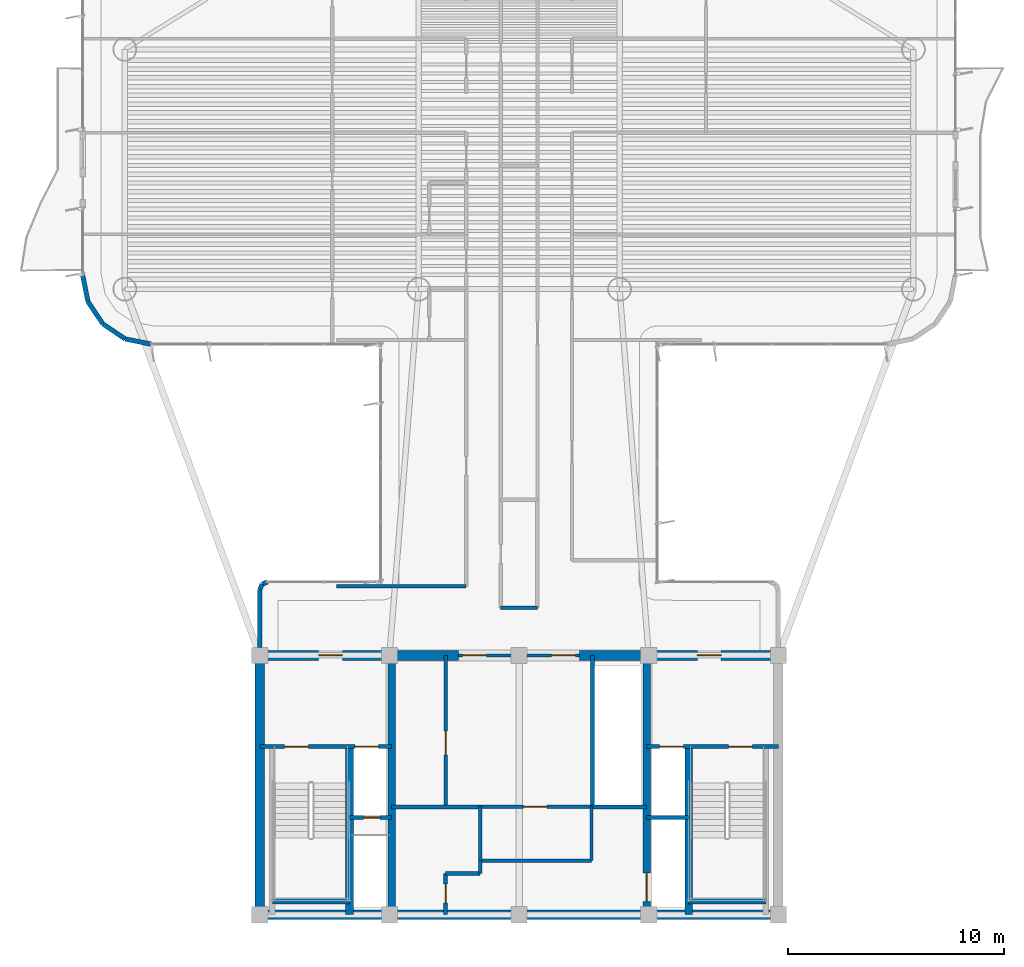
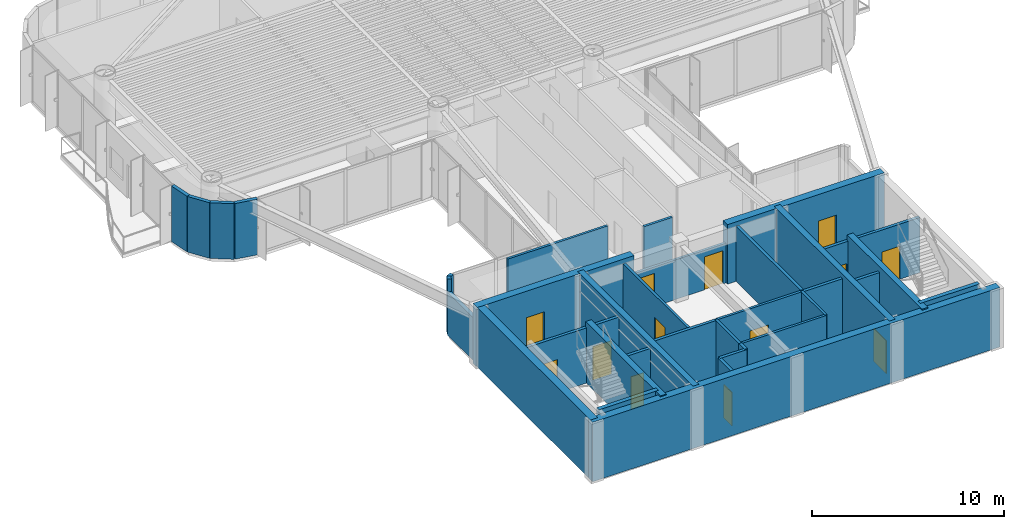
# One storey, part 9 of 14: 35 walls, 13 doors, 13 openings.
"""IFC4 building model written with IfcOpenShell, lengths in metres."""

import ifcopenshell
import ifcopenshell.guid

model = None  # the IFC model being written
_history = None  # IfcOwnerHistory: only IFC2X3 demands one
_inside = {}  # id of a spatial element -> (the spatial element, [elements in it])
_under = {}  # id of a project, library or spatial element -> (it, [spatial elements below it])
_declared = {}  # id of a project -> (the project, [libraries it declares])
_typed = {}  # id of a type object -> (the type object, [elements of that type])
_made_of = {}  # id of a material, layer set ... -> (it, [elements and type objects made of it])


def new_model(schema):
    """Start an empty IFC model of exactly this schema.

    Asked for "IFC4X3", IfcOpenShell would pick the latest addendum, in which some entities
    have other attributes; the version numbers below select the first issue.
    IFC2X3 requires an IfcOwnerHistory on every rooted entity: one is made here for all.
    """
    global model, _history
    if schema == "IFC4X3":
        model = ifcopenshell.file(schema_version=(4, 3, 0, 0))
    else:
        model = ifcopenshell.file(schema=schema)
    _inside.clear()
    _under.clear()
    _declared.clear()
    _typed.clear()
    _made_of.clear()
    _history = None
    if model.schema == "IFC2X3":
        org = make("IfcOrganization", Name="unknown")
        user = make(
            "IfcPersonAndOrganization",
            ThePerson=make("IfcPerson", FamilyName="unknown"),
            TheOrganization=org,
        )
        app = make(
            "IfcApplication",
            ApplicationDeveloper=org,
            Version="unknown",
            ApplicationFullName="unknown",
            ApplicationIdentifier="unknown",
        )
        _history = make(
            "IfcOwnerHistory",
            OwningUser=user,
            OwningApplication=app,
            ChangeAction="ADDED",
            CreationDate=0,
        )
    return model


def make(cls, **values):
    """One entity of the class cls with the attributes given. An attribute that is None is left unset."""
    return model.create_entity(
        cls, **{name: value for name, value in values.items() if value is not None}
    )


def rooted(cls, **values):
    """An entity with a GlobalId (a new one), such as an element, a storey or a relation."""
    return make(cls, GlobalId=ifcopenshell.guid.new(), OwnerHistory=_history, **values)


def si_unit(unit_type, name, prefix=None):
    """IfcSIUnit, for example si_unit("LENGTHUNIT", "METRE", prefix="MILLI")."""
    return make("IfcSIUnit", UnitType=unit_type, Prefix=prefix, Name=name)


def assignment(units):
    """IfcUnitAssignment: the units of a project."""
    return None if units is None else make("IfcUnitAssignment", Units=units)


def point(xyz):
    """IfcCartesianPoint."""
    return None if xyz is None else make("IfcCartesianPoint", Coordinates=xyz)


def direction(xyz):
    """IfcDirection."""
    return None if xyz is None else make("IfcDirection", DirectionRatios=xyz)


def frame(location, z_axis=None, x_axis=None):
    """IfcAxis2Placement3D, a coordinate frame: its origin and axes. An axis left out is left unset."""
    return make(
        "IfcAxis2Placement3D",
        Location=point(location),
        Axis=direction(z_axis),
        RefDirection=direction(x_axis),
    )


def frame_2d(location, x_axis=None):
    """IfcAxis2Placement2D, a coordinate frame in the plane: its origin and x axis."""
    return make(
        "IfcAxis2Placement2D", Location=point(location), RefDirection=direction(x_axis)
    )


def origin():
    """The frame at (0, 0, 0) with its axes left unset."""
    return frame((0.0, 0.0, 0.0))


def origin_2d():
    """The frame at (0, 0) in the plane with its x axis left unset."""
    return frame_2d((0.0, 0.0))


def place(relative_to, where):
    """IfcLocalPlacement: puts the frame where relative to a parent placement (None: the world)."""
    return make(
        "IfcLocalPlacement", PlacementRelTo=relative_to, RelativePlacement=where
    )


def context(
    kind, dimensions, precision=None, world=None, true_north=None, identifier=None
):
    """IfcGeometricRepresentationContext, for example the 3D "Model" context."""
    return make(
        "IfcGeometricRepresentationContext",
        ContextIdentifier=identifier,
        ContextType=kind,
        CoordinateSpaceDimension=dimensions,
        Precision=precision,
        WorldCoordinateSystem=world,
        TrueNorth=true_north,
    )


def subcontext(parent, identifier, kind, view, scale=None):
    """IfcGeometricRepresentationSubContext, for example "Body" below "Model"."""
    return make(
        "IfcGeometricRepresentationSubContext",
        ContextIdentifier=identifier,
        ContextType=kind,
        ParentContext=parent,
        TargetScale=scale,
        TargetView=view,
    )


def project(units=None, contexts=None):
    """IfcProject with its units and contexts."""
    return rooted(
        "IfcProject",
        Name="project",
        RepresentationContexts=contexts,
        UnitsInContext=assignment(units),
    )


def spatial(cls, under=None, at=None, **own):
    """A site, building, storey or space (cls), placed at a placement, below another one or the project."""
    s = rooted(cls, ObjectPlacement=at, **own)
    if under is not None:
        _under.setdefault(under.id(), (under, []))[1].append(s)
    return s


def profile(cls, at=None, kind="AREA", **sizes):
    """A parametric profile (cls). Its sizes go by their IFC names, for example OverallWidth=200.0."""
    return make(cls, ProfileType=kind, Position=at, **sizes)


def rectangle(**sizes):
    """IfcRectangleProfileDef."""
    return profile("IfcRectangleProfileDef", **sizes)


def extrude(swept, where, along, depth):
    """IfcExtrudedAreaSolid: the profile swept, set in the frame where, extruded along a direction by depth."""
    return make(
        "IfcExtrudedAreaSolid",
        SweptArea=swept,
        Position=where,
        ExtrudedDirection=direction(along),
        Depth=depth,
    )


def shape(context_of_items, identifier, shape_type, items):
    """IfcShapeRepresentation: the items that make up one representation, for example the "Body"."""
    return make(
        "IfcShapeRepresentation",
        ContextOfItems=context_of_items,
        RepresentationIdentifier=identifier,
        RepresentationType=shape_type,
        Items=items,
    )


def source(mapping_origin, context_of_items, identifier, shape_type, items):
    """IfcRepresentationMap: a shape defined once, which mapped items show again and again."""
    return make(
        "IfcRepresentationMap",
        MappingOrigin=mapping_origin,
        MappedRepresentation=shape(context_of_items, identifier, shape_type, items),
    )


def transform(
    local_origin,
    x_axis=None,
    y_axis=None,
    z_axis=None,
    scale=None,
    scale2=None,
    scale3=None,
    uniform=True,
):
    """IfcCartesianTransformationOperator3D, or its non-uniform kind. x_axis, y_axis, z_axis: its Axis1, 2, 3."""
    if uniform:
        return make(
            "IfcCartesianTransformationOperator3D",
            Axis1=direction(x_axis),
            Axis2=direction(y_axis),
            LocalOrigin=point(local_origin),
            Scale=scale,
            Axis3=direction(z_axis),
        )
    return make(
        "IfcCartesianTransformationOperator3DnonUniform",
        Axis1=direction(x_axis),
        Axis2=direction(y_axis),
        LocalOrigin=point(local_origin),
        Scale=scale,
        Axis3=direction(z_axis),
        Scale2=scale2,
        Scale3=scale3,
    )


def mapped(mapping_source, mapping_target):
    """IfcMappedItem: shows the shape of a source again, moved by a transform."""
    return make(
        "IfcMappedItem", MappingSource=mapping_source, MappingTarget=mapping_target
    )


def material(Name=None, Category=None):
    """IfcMaterial."""
    return make("IfcMaterial", Name=Name, Category=Category)


def layer(
    of_material, thickness, ventilated=None, Name=None, Category=None, Priority=None
):
    """IfcMaterialLayer: one layer of a wall or slab, of a material (None: an air gap)."""
    return make(
        "IfcMaterialLayer",
        Material=of_material,
        LayerThickness=thickness,
        IsVentilated=ventilated,
        Name=Name,
        Category=Category,
        Priority=Priority,
    )


def layer_set(layers, Name=None):
    """IfcMaterialLayerSet."""
    return make("IfcMaterialLayerSet", MaterialLayers=layers, LayerSetName=Name)


def made_of(thing, what):
    """Note that an element or type object is made of a material, layer set ...; save() writes the relation."""
    if what is not None:
        _made_of.setdefault(what.id(), (what, []))[1].append(thing)
    return thing


def type_object(cls, material=None, **own):
    """A type object (cls), such as IfcWallType, which elements share."""
    return made_of(rooted(cls, **own), material)


def element(
    cls,
    number,
    at=None,
    inside=None,
    cuts=None,
    type_object=None,
    material=None,
    context=None,
    identifier="Body",
    shape_type=None,
    held_by="IfcProductDefinitionShape",
    body=None,
    shapes=None,
    **own,
):
    """One element of the class cls, such as IfcWall. Its Tag is "e" and its number.

    at: its placement. inside: the storey or other place that contains it. cuts: it is an
    opening in that element (IfcRelVoidsElement). A single representation is given by context,
    identifier, shape_type and body (its items); several are given by shapes. held_by: the class
    of the entity that holds the representations. save() writes the other relations.
    """
    e = rooted(cls, Tag="e%d" % number, ObjectPlacement=at, **own)
    if body is not None:
        shapes = [shape(context, identifier, shape_type, body)]
    if shapes is not None:
        e.Representation = make(held_by, Representations=shapes)
    if inside is not None:
        _inside.setdefault(inside.id(), (inside, []))[1].append(e)
    if cuts is not None:
        rooted(
            "IfcRelVoidsElement", RelatingBuildingElement=cuts, RelatedOpeningElement=e
        )
    if type_object is not None:
        _typed.setdefault(type_object.id(), (type_object, []))[1].append(e)
    return made_of(e, material)


def fill(opening, filler):
    """IfcRelFillsElement: the door or window that sits in an opening."""
    return rooted(
        "IfcRelFillsElement",
        RelatingOpeningElement=opening,
        RelatedBuildingElement=filler,
    )


def aggregate(whole, parts):
    """IfcRelAggregates: a whole, such as a stair, and the parts it consists of."""
    return rooted("IfcRelAggregates", RelatingObject=whole, RelatedObjects=parts)


def save(model, path):
    """Write the relations noted so far, then the file.

    IfcRelAggregates (storeys below a building ...), IfcRelContainedInSpatialStructure (elements
    in a storey), IfcRelDefinesByType, IfcRelAssociatesMaterial and IfcRelDeclares: one each for
    every whole, place, type object, material and project.
    """
    for whole, parts in _under.values():
        aggregate(whole, parts)
    for where, things in _inside.values():
        rooted(
            "IfcRelContainedInSpatialStructure",
            RelatedElements=things,
            RelatingStructure=where,
        )
    for kind, things in _typed.values():
        rooted("IfcRelDefinesByType", RelatedObjects=things, RelatingType=kind)
    for what, things in _made_of.values():
        rooted("IfcRelAssociatesMaterial", RelatedObjects=things, RelatingMaterial=what)
    for by, libraries in _declared.values():
        rooted("IfcRelDeclares", RelatingContext=by, RelatedDefinitions=libraries)
    model.write(path)


model = new_model("IFC4")

# Units and contexts
model_context = context("Model", 3, precision=1e-05, world=origin(), true_north=direction((0.0, 1.0)))
body_context = subcontext(model_context, "Body", "Model", "MODEL_VIEW")
ifc_project = project(units=[si_unit("LENGTHUNIT", "METRE"), si_unit("AREAUNIT", "SQUARE_METRE"), si_unit("VOLUMEUNIT", "CUBIC_METRE"), si_unit("PLANEANGLEUNIT", "RADIAN"), si_unit("MASSUNIT", "GRAM", prefix="KILO")], contexts=[model_context])

# Site, building, storey
site_placement = place(None, origin())
site = spatial("IfcSite", under=ifc_project, at=site_placement, CompositionType="ELEMENT")
building_placement = place(site_placement, origin())
building = spatial("IfcBuilding", under=site, at=building_placement, Name="Brelvock Crest Care Tower", CompositionType="ELEMENT")
storey_placement = place(building_placement, frame((0.0, 0.0, 198.0)))
storey = spatial("IfcBuildingStorey", under=building, at=storey_placement, Name="L50", CompositionType="ELEMENT", Elevation=198.0)

# Walls
ifc_material_1 = material(Name="Concrete S65 (65 MPa)", Category="concrete")
ifc_layer_1 = layer(ifc_material_1, 0.449951171875, Name="WL-CS3")
ifc_layer_set_1 = layer_set([ifc_layer_1], Name="Concrete S65 (65 MPa)")
wall_type_1 = type_object("IfcWallType", Name="WL-CS3", PredefinedType="SHEAR", material=ifc_layer_set_1)
wall_1_placement = place(storey_placement, frame((48.22509765625, 6.0, 0.0), z_axis=(0.0, 0.0, 1.0), x_axis=(-1.0, 0.0, 0.0)))
element("IfcWall", 1, at=wall_1_placement, inside=storey, type_object=wall_type_1, Name="L50 Core South Shear Wall", PredefinedType="SHEAR", context=body_context, shape_type="SweptSolid", body=[
    extrude(rectangle(XDim=24.4501953125, YDim=0.449951171875, at=frame_2d((12.22509765625, 0.0))), origin(), (0.0, 0.0, 1.0), 3.780029296875),
])
wall_2_placement = place(storey_placement, frame((24.0, 6.0, 0.0), z_axis=(0.0, 0.0, 1.0), x_axis=(0.0, 1.0, 0.0)))
element("IfcWall", 2, at=wall_2_placement, inside=storey, type_object=wall_type_1, Name="L50 Core West Shear Wall", PredefinedType="SHEAR", context=body_context, shape_type="SweptSolid", body=[
    extrude(rectangle(XDim=12.0, YDim=0.449951171875, at=frame_2d((6.0, 0.0))), origin(), (0.0, 0.0, 1.0), 3.780029296875),
])

# Wall, opening, door
wall_3_placement = place(storey_placement, frame((23.77490234375, 18.0, 0.0), z_axis=(0.0, 0.0, 1.0), x_axis=(1.0, 0.0, 0.0)))
wall_3 = element("IfcWall", 3, at=wall_3_placement, inside=storey, type_object=wall_type_1, Name="L50 Core North-West Shear Wall", PredefinedType="SHEAR", context=body_context, shape_type="SweptSolid", body=[
    extrude(rectangle(XDim=9.425048828125, YDim=0.449951171875, at=frame_2d((4.71240234375, 0.0))), origin(), (0.0, 0.0, 1.0), 3.780029296875),
])
opening_1_placement = place(wall_3_placement, frame((2.949951171875, 0.0, 0.0)))
opening_1 = element("IfcOpeningElement", 4, at=opening_1_placement, cuts=wall_3, Name="Opening FD-1", PredefinedType="OPENING", context=body_context, shape_type="SweptSolid", body=[
    extrude(rectangle(XDim=1.10009765625, YDim=2.10009765625, at=origin_2d()), frame((0.550048828125, 0.23486328125, 1.050048828125), z_axis=(0.0, -1.0, 0.0), x_axis=(1.0, 0.0, 0.0)), (0.0, 0.0, 1.0), 0.469970703125),
])
ifc_material_2 = material(Name="Steel Grade 350", Category="steel")
door_type_1 = type_object("IfcDoorType", Name="DR-FFL1", OperationType="NOTDEFINED", PredefinedType="DOOR", material=ifc_material_2)
shared_shape_1 = source(origin(), body_context, "Body", "SweptSolid", [
    extrude(rectangle(XDim=1.10009765625, YDim=2.10009765625, at=origin_2d()), frame((0.550048828125, 0.02490234375, 1.050048828125), z_axis=(0.0, -1.0, 0.0), x_axis=(1.0, 0.0, 0.0)), (0.0, 0.0, 1.0), 0.050048828125),
])
door_1_placement = place(opening_1_placement, origin())
door_1 = element("IfcDoor", 5, at=door_1_placement, inside=storey, type_object=door_type_1, Name="L50 Firefighting Lobby FFL-1 Exit Door", OperationType="SINGLE_SWING_LEFT", OverallHeight=2.10009765625, OverallWidth=1.10009765625, PredefinedType="DOOR", context=body_context, shape_type="MappedRepresentation", body=[
    mapped(shared_shape_1, transform((0.0, 0.0, 0.0), x_axis=(1.0, 0.0, 0.0), y_axis=(0.0, 1.0, 0.0), z_axis=(0.0, 0.0, 1.0), scale=1.0)),
])
fill(opening_1, door_1)

wall_4_placement = place(storey_placement, frame((38.800048828125, 18.0, 0.0), z_axis=(0.0, 0.0, 1.0), x_axis=(1.0, 0.0, 0.0)))
wall_4 = element("IfcWall", 6, at=wall_4_placement, inside=storey, type_object=wall_type_1, Name="L50 Core North-East Shear Wall", PredefinedType="SHEAR", context=body_context, shape_type="SweptSolid", body=[
    extrude(rectangle(XDim=9.425048828125, YDim=0.449951171875, at=frame_2d((4.71240234375, 0.0))), origin(), (0.0, 0.0, 1.0), 3.780029296875),
])
opening_2_placement = place(wall_4_placement, frame((5.449951171875, 0.0, 0.0)))
opening_2 = element("IfcOpeningElement", 7, at=opening_2_placement, cuts=wall_4, Name="Opening FD-1", PredefinedType="OPENING", context=body_context, shape_type="SweptSolid", body=[
    extrude(rectangle(XDim=1.10009765625, YDim=2.10009765625, at=origin_2d()), frame((0.550048828125, 0.23486328125, 1.050048828125), z_axis=(0.0, -1.0, 0.0), x_axis=(1.0, 0.0, 0.0)), (0.0, 0.0, 1.0), 0.469970703125),
])
door_2_placement = place(opening_2_placement, origin())
door_2 = element("IfcDoor", 8, at=door_2_placement, inside=storey, type_object=door_type_1, Name="L50 Firefighting Lobby FFL-2 Exit Door", OperationType="SINGLE_SWING_RIGHT", OverallHeight=2.10009765625, OverallWidth=1.10009765625, PredefinedType="DOOR", context=body_context, shape_type="MappedRepresentation", body=[
    mapped(shared_shape_1, transform((0.0, 0.0, 0.0), x_axis=(1.0, 0.0, 0.0), y_axis=(0.0, 1.0, 0.0), z_axis=(0.0, 0.0, 1.0), scale=1.0)),
])
fill(opening_2, door_2)

# Wall
ifc_material_3 = material(Name="Concrete S80 (80 MPa)", Category="concrete")
ifc_layer_2 = layer(ifc_material_3, 0.35009765625, Name="WL-CS5")
ifc_layer_set_2 = layer_set([ifc_layer_2], Name="Concrete S80 (80 MPa)")
wall_type_2 = type_object("IfcWallType", Name="WL-CS5", PredefinedType="SHEAR", material=ifc_layer_set_2)
wall_5_placement = place(storey_placement, frame((30.10009765625, 6.0, 0.0), z_axis=(0.0, 0.0, 1.0), x_axis=(0.0, 1.0, 0.0)))
element("IfcWall", 9, at=wall_5_placement, inside=storey, type_object=wall_type_2, Name="L50 Core Internal Web Wall West", PredefinedType="SHEAR", context=body_context, shape_type="SweptSolid", body=[
    extrude(rectangle(XDim=12.0, YDim=0.35009765625, at=frame_2d((6.0, 0.0))), origin(), (0.0, 0.0, 1.0), 3.780029296875),
])

# Wall, opening, door
wall_6_placement = place(storey_placement, frame((41.89990234375, 18.0, 0.0), z_axis=(0.0, 0.0, 1.0), x_axis=(0.0, -1.0, 0.0)))
wall_6 = element("IfcWall", 10, at=wall_6_placement, inside=storey, type_object=wall_type_2, Name="L50 Core Internal Web Wall East", PredefinedType="SHEAR", context=body_context, shape_type="SweptSolid", body=[
    extrude(rectangle(XDim=12.0, YDim=0.35009765625, at=frame_2d((6.0, 0.0))), origin(), (0.0, 0.0, 1.0), 3.780029296875),
])
opening_3_placement = place(wall_6_placement, frame((10.080078125, 0.0, 0.0)))
opening_3 = element("IfcOpeningElement", 11, at=opening_3_placement, cuts=wall_6, Name="Opening LD-S", PredefinedType="OPENING", context=body_context, shape_type="SweptSolid", body=[
    extrude(rectangle(XDim=1.300048828125, YDim=2.10009765625, at=origin_2d()), frame((0.64990234375, 0.18505859375, 1.050048828125), z_axis=(0.0, -1.0, 0.0), x_axis=(1.0, 0.0, 0.0)), (0.0, 0.0, 1.0), 0.3701171875),
])
door_type_2 = type_object("IfcDoorType", Name="DR-LDS1", OperationType="NOTDEFINED", PredefinedType="DOOR", material=ifc_material_2)
shared_shape_2 = source(origin(), body_context, "Body", "SweptSolid", [
    extrude(rectangle(XDim=1.300048828125, YDim=2.10009765625, at=origin_2d()), frame((0.64990234375, 0.02490234375, 1.050048828125), z_axis=(0.0, -1.0, 0.0), x_axis=(1.0, 0.0, 0.0)), (0.0, 0.0, 1.0), 0.050048828125),
])
door_3_placement = place(opening_3_placement, origin())
door_3 = element("IfcDoor", 12, at=door_3_placement, inside=storey, type_object=door_type_2, Name="L50 Clinical Bed Lift SL-1 Landing Door", OperationType="SLIDING_TO_LEFT", OverallHeight=2.10009765625, OverallWidth=1.300048828125, PredefinedType="DOOR", context=body_context, shape_type="MappedRepresentation", body=[
    mapped(shared_shape_2, transform((0.0, 0.0, 0.0), x_axis=(1.0, 0.0, 0.0), y_axis=(0.0, 1.0, 0.0), z_axis=(0.0, 0.0, 1.0), scale=1.0)),
])
fill(opening_3, door_3)

# Walls
for number, where, z_axis, x_axis, name in (
    (13, (28.14990234375, 6.0, 0.0), (0.0, 0.0, 1.0), (0.0, 1.0, 0.0), "L50 Core Stair ST-1 East Shear Wall"),
    (14, (43.85009765625, 6.0, 0.0), (0.0, 0.0, 1.0), (0.0, 1.0, 0.0), "L50 Core Stair ST-2 West Shear Wall"),
):
    element("IfcWall", number, at=place(storey_placement, frame(where, z_axis=z_axis, x_axis=x_axis)), inside=storey, type_object=wall_type_2, Name=name, PredefinedType="SHEAR", context=body_context, shape_type="SweptSolid", body=[
        extrude(rectangle(XDim=7.780029296875, YDim=0.35009765625, at=frame_2d((3.89013671875, 0.0))), origin(), (0.0, 0.0, 1.0), 3.85009765625),
    ])
ifc_layer_3 = layer(ifc_material_3, 0.25, Name="WL-CS6")
ifc_layer_set_3 = layer_set([ifc_layer_3], Name="Concrete S80 (80 MPa)")
wall_type_3 = type_object("IfcWallType", Name="WL-CS6", PredefinedType="SHEAR", material=ifc_layer_set_3)
for number, where, z_axis, x_axis, name in (
    (15, (24.580078125, 6.6201171875, 0.0), (0.0, 0.0, 1.0), (1.0, 0.0, 0.0), "L50 Core Stair ST-1 South Shear Wall"),
    (16, (43.85009765625, 6.6201171875, 0.0), (0.0, 0.0, 1.0), (1.0, 0.0, 0.0), "L50 Core Stair ST-2 South Shear Wall"),
):
    element("IfcWall", number, at=place(storey_placement, frame(where, z_axis=z_axis, x_axis=x_axis)), inside=storey, type_object=wall_type_3, Name=name, PredefinedType="SHEAR", context=body_context, shape_type="SweptSolid", body=[
        extrude(rectangle(XDim=3.56982421875, YDim=0.25, at=frame_2d((1.784912109375, 0.0))), origin(), (0.0, 0.0, 1.0), 3.85009765625),
    ])
ifc_material_4 = material(Name="Precast concrete N40 (40 MPa)", Category="concrete")
ifc_layer_4 = layer(ifc_material_4, 0.215087890625, Name="WL-EX2")
ifc_layer_set_4 = layer_set([ifc_layer_4], Name="Precast concrete N40 (40 MPa)")
wall_type_4 = type_object("IfcWallType", Name="WL-EX2", PredefinedType="SOLIDWALL", material=ifc_layer_set_4)
wall_7_placement = place(storey_placement, frame((24.0, 18.35498046875, 0.0), z_axis=(0.0, 0.0, 1.0), x_axis=(0.0, 1.0, 0.0)))
element("IfcWall", 17, at=wall_7_placement, inside=storey, type_object=wall_type_4, Name="L50 Rounded Corner Wall 07", PredefinedType="SOLIDWALL", context=body_context, shape_type="SweptSolid", body=[
    extrude(rectangle(XDim=2.695068359375, YDim=0.215087890625, at=frame_2d((1.34765625, 0.0))), origin(), (0.0, 0.0, 1.0), 2.718017578125),
])
wall_8_placement = place(storey_placement, frame((24.0, 21.050048828125, 0.0), z_axis=(0.0, 0.0, 1.0), x_axis=(0.382673670509, 0.923883575944, 0.0)))
element("IfcWall", 18, at=wall_8_placement, inside=storey, type_object=wall_type_4, Name="L50 Rounded Corner Wall 08", PredefinedType="SOLIDWALL", context=body_context, shape_type="SweptSolid", body=[
    extrude(rectangle(XDim=0.26806640625, YDim=0.215087890625, at=frame_2d((0.134033203125, 0.0))), origin(), (0.0, 0.0, 1.0), 3.530029296875),
])
wall_9_placement = place(storey_placement, frame((24.1025390625, 21.297607421875, 0.0), z_axis=(0.0, 0.0, 1.0), x_axis=(0.924205486139, 0.381895560841, 0.0)))
element("IfcWall", 19, at=wall_9_placement, inside=storey, type_object=wall_type_4, Name="L50 Rounded Corner Wall 09", PredefinedType="SOLIDWALL", context=body_context, shape_type="SweptSolid", body=[
    extrude(rectangle(XDim=0.267822265625, YDim=0.215087890625, at=frame_2d((0.1337890625, 0.0))), origin(), (0.0, 0.0, 1.0), 3.530029296875),
])
for number, where, z_axis, x_axis, name in (
    (20, (19.0, 32.39990234375, 0.0), (0.0, 0.0, 1.0), (-0.980775717779, 0.195138390419, 0.0), "L50 Rounded Corner Wall 13"),
    (21, (17.775390625, 32.6435546875, 0.0), (0.0, 0.0, 1.0), (-0.831387912822, 0.555692485475, 0.0), "L50 Rounded Corner Wall 14"),
    (22, (16.7373046875, 33.33740234375, 0.0), (0.0, 0.0, 1.0), (-0.555557312883, 0.831478245117, 0.0), "L50 Rounded Corner Wall 15"),
    (23, (16.043701171875, 34.37548828125, 0.0), (0.0, 0.0, 1.0), (-0.195138390419, 0.980775717779, 0.0), "L50 Rounded Corner Wall 16"),
):
    element("IfcWall", number, at=place(storey_placement, frame(where, z_axis=z_axis, x_axis=x_axis)), inside=storey, type_object=wall_type_4, Name=name, PredefinedType="SOLIDWALL", context=body_context, shape_type="SweptSolid", body=[
        extrude(rectangle(XDim=1.24853515625, YDim=0.215087890625, at=frame_2d((0.624267578125, 0.0))), origin(), (0.0, 0.0, 1.0), 3.530029296875),
    ])

# Wall, opening, door
ifc_material_5 = material(Name="Masonry Blockwork Acoustic Partition", Category="masonry")
ifc_layer_5 = layer(ifc_material_5, 0.14990234375, Name="WL-INT1")
ifc_layer_set_5 = layer_set([ifc_layer_5], Name="Masonry Blockwork Acoustic Partition")
wall_type_5 = type_object("IfcWallType", Name="WL-INT1", PredefinedType="PARTITIONING", material=ifc_layer_set_5)
wall_10_placement = place(storey_placement, frame((32.60009765625, 11.0, 0.0), z_axis=(0.0, 0.0, 1.0), x_axis=(0.0, 1.0, 0.0)))
wall_10 = element("IfcWall", 24, at=wall_10_placement, inside=storey, type_object=wall_type_5, Name="L50 Interior Wall WL-CRCL-E-L50", PredefinedType="PARTITIONING", context=body_context, shape_type="SweptSolid", body=[
    extrude(rectangle(XDim=7.0, YDim=0.14990234375, at=frame_2d((3.5, 0.0))), origin(), (0.0, 0.0, 1.0), 3.5),
])
opening_4_placement = place(wall_10_placement, frame((2.39990234375, 0.0, 0.0)))
opening_4 = element("IfcOpeningElement", 25, at=opening_4_placement, cuts=wall_10, Name="Opening PD-1", PredefinedType="OPENING", context=body_context, shape_type="SweptSolid", body=[
    extrude(rectangle(XDim=1.10009765625, YDim=2.10009765625, at=origin_2d()), frame((0.550048828125, 0.0849609375, 1.050048828125), z_axis=(0.0, -1.0, 0.0), x_axis=(1.0, 0.0, 0.0)), (0.0, 0.0, 1.0), 0.169921875),
])
door_type_3 = type_object("IfcDoorType", Name="DR-PLT1", OperationType="NOTDEFINED", PredefinedType="DOOR", material=ifc_material_2)
shared_shape_3 = source(origin(), body_context, "Body", "SweptSolid", [
    extrude(rectangle(XDim=1.10009765625, YDim=2.10009765625, at=origin_2d()), frame((0.550048828125, 0.02490234375, 1.050048828125), z_axis=(0.0, -1.0, 0.0), x_axis=(1.0, 0.0, 0.0)), (0.0, 0.0, 1.0), 0.050048828125),
])
door_4_placement = place(opening_4_placement, origin())
door_4 = element("IfcDoor", 26, at=door_4_placement, inside=storey, type_object=door_type_3, Name="DR-CRCL1-L50", OperationType="SINGLE_SWING_LEFT", OverallHeight=2.10009765625, OverallWidth=1.10009765625, PredefinedType="DOOR", context=body_context, shape_type="MappedRepresentation", body=[
    mapped(shared_shape_3, transform((0.0, 0.0, 0.0), x_axis=(1.0, 0.0, 0.0), y_axis=(0.0, 1.0, 0.0), z_axis=(0.0, 0.0, 1.0), scale=1.0)),
])
fill(opening_4, door_4)

# Walls
wall_11_placement = place(storey_placement, frame((34.199951171875, 8.5, 0.0), z_axis=(0.0, 0.0, 1.0), x_axis=(1.0, 0.0, 0.0)))
element("IfcWall", 27, at=wall_11_placement, inside=storey, type_object=wall_type_5, Name="L50 Interior Wall WL-CRCM-S-L50", PredefinedType="PARTITIONING", context=body_context, shape_type="SweptSolid", body=[
    extrude(rectangle(XDim=5.150146484375, YDim=0.14990234375, at=frame_2d((2.5751953125, 0.0))), origin(), (0.0, 0.0, 1.0), 3.5),
])
for number, where, z_axis, x_axis, name in (
    (28, (34.199951171875, 8.5, 0.0), (0.0, 0.0, 1.0), (0.0, 1.0, 0.0), "L50 Interior Wall WL-CRCM-W-L50"),
    (29, (39.35009765625, 8.5, 0.0), (0.0, 0.0, 1.0), (0.0, 1.0, 0.0), "L50 Interior Wall WL-CRCM-E-L50"),
):
    element("IfcWall", number, at=place(storey_placement, frame(where, z_axis=z_axis, x_axis=x_axis)), inside=storey, type_object=wall_type_5, Name=name, PredefinedType="PARTITIONING", context=body_context, shape_type="SweptSolid", body=[
        extrude(rectangle(XDim=2.5, YDim=0.14990234375, at=frame_2d((1.25, 0.0))), origin(), (0.0, 0.0, 1.0), 3.5),
    ])

# Wall, opening, door
wall_12_placement = place(storey_placement, frame((34.199951171875, 11.0, 0.0), z_axis=(0.0, 0.0, 1.0), x_axis=(1.0, 0.0, 0.0)))
wall_12 = element("IfcWall", 30, at=wall_12_placement, inside=storey, type_object=wall_type_5, Name="L50 Interior Wall WL-CRCM-N-L50", PredefinedType="PARTITIONING", context=body_context, shape_type="SweptSolid", body=[
    extrude(rectangle(XDim=5.150146484375, YDim=0.14990234375, at=frame_2d((2.5751953125, 0.0))), origin(), (0.0, 0.0, 1.0), 3.5),
])
opening_5_placement = place(wall_12_placement, frame((2.0, 0.0, 0.0)))
opening_5 = element("IfcOpeningElement", 31, at=opening_5_placement, cuts=wall_12, Name="Opening PD-1", PredefinedType="OPENING", context=body_context, shape_type="SweptSolid", body=[
    extrude(rectangle(XDim=1.10009765625, YDim=2.10009765625, at=origin_2d()), frame((0.550048828125, 0.0849609375, 1.050048828125), z_axis=(0.0, -1.0, 0.0), x_axis=(1.0, 0.0, 0.0)), (0.0, 0.0, 1.0), 0.169921875),
])
door_5_placement = place(opening_5_placement, origin())
door_5 = element("IfcDoor", 32, at=door_5_placement, inside=storey, type_object=door_type_3, Name="DR-CRCM1-L50", OperationType="SINGLE_SWING_LEFT", OverallHeight=2.10009765625, OverallWidth=1.10009765625, PredefinedType="DOOR", context=body_context, shape_type="MappedRepresentation", body=[
    mapped(shared_shape_3, transform((0.0, 0.0, 0.0), x_axis=(1.0, 0.0, 0.0), y_axis=(0.0, 1.0, 0.0), z_axis=(0.0, 0.0, 1.0), scale=1.0)),
])
fill(opening_5, door_5)

# Wall, openings, doors
wall_13_placement = place(storey_placement, frame((33.199951171875, 18.0, 0.0), z_axis=(0.0, 0.0, 1.0), x_axis=(1.0, 0.0, 0.0)))
wall_13 = element("IfcWall", 33, at=wall_13_placement, inside=storey, type_object=wall_type_5, Name="L50 Interior Wall WL-CORE-NPORT-L50", PredefinedType="PARTITIONING", context=body_context, shape_type="SweptSolid", body=[
    extrude(rectangle(XDim=5.60009765625, YDim=0.14990234375, at=frame_2d((2.800048828125, 0.0))), origin(), (0.0, 0.0, 1.0), 2.514892578125),
])
opening_6_placement = place(wall_13_placement, frame((0.18994140625, 0.0, 0.0)))
opening_6 = element("IfcOpeningElement", 34, at=opening_6_placement, cuts=wall_13, Name="Opening FD-1", PredefinedType="OPENING", context=body_context, shape_type="SweptSolid", body=[
    extrude(rectangle(XDim=1.10009765625, YDim=2.10009765625, at=origin_2d()), frame((0.550048828125, 0.0849609375, 1.050048828125), z_axis=(0.0, -1.0, 0.0), x_axis=(1.0, 0.0, 0.0)), (0.0, 0.0, 1.0), 0.169921875),
])
opening_7_placement = place(wall_13_placement, frame((4.31005859375, 0.0, 0.0)))
opening_7 = element("IfcOpeningElement", 35, at=opening_7_placement, cuts=wall_13, Name="Opening FD-1", PredefinedType="OPENING", context=body_context, shape_type="SweptSolid", body=[
    extrude(rectangle(XDim=1.10009765625, YDim=2.10009765625, at=origin_2d()), frame((0.550048828125, 0.0849609375, 1.050048828125), z_axis=(0.0, -1.0, 0.0), x_axis=(1.0, 0.0, 0.0)), (0.0, 0.0, 1.0), 0.169921875),
])
door_6_placement = place(opening_6_placement, origin())
door_6 = element("IfcDoor", 36, at=door_6_placement, inside=storey, type_object=door_type_1, Name="L50 Lift Lobby North Smoke Door West", OperationType="SINGLE_SWING_LEFT", OverallHeight=2.10009765625, OverallWidth=1.10009765625, PredefinedType="DOOR", context=body_context, shape_type="MappedRepresentation", body=[
    mapped(shared_shape_1, transform((0.0, 0.0, 0.0), x_axis=(1.0, 0.0, 0.0), y_axis=(0.0, 1.0, 0.0), z_axis=(0.0, 0.0, 1.0), scale=1.0)),
])
fill(opening_6, door_6)
door_7_placement = place(opening_7_placement, origin())
door_7 = element("IfcDoor", 37, at=door_7_placement, inside=storey, type_object=door_type_1, Name="L50 Lift Lobby North Smoke Door East", OperationType="SINGLE_SWING_RIGHT", OverallHeight=2.10009765625, OverallWidth=1.10009765625, PredefinedType="DOOR", context=body_context, shape_type="MappedRepresentation", body=[
    mapped(shared_shape_1, transform((0.0, 0.0, 0.0), x_axis=(1.0, 0.0, 0.0), y_axis=(0.0, 1.0, 0.0), z_axis=(0.0, 0.0, 1.0), scale=1.0)),
])
fill(opening_7, door_7)

# Walls
wall_14_placement = place(storey_placement, frame((27.5576171875, 21.199951171875, 0.0), z_axis=(0.0, 0.0, 1.0), x_axis=(1.0, 0.0, 0.0)))
element("IfcWall", 38, at=wall_14_placement, inside=storey, type_object=wall_type_5, Name="L50 Interior Wall WL-BX-L50-THRW-S", PredefinedType="PARTITIONING", context=body_context, shape_type="SweptSolid", body=[
    extrude(rectangle(XDim=5.992431640625, YDim=0.14990234375, at=frame_2d((2.99609375, 0.0))), origin(), (0.0, 0.0, 1.0), 3.5),
])
ifc_material_6 = material(Name="Gypsum Plasterboard Partition", Category="gypsum")
ifc_layer_6 = layer(ifc_material_6, 0.159912109375, Name="WL-PLM1")
ifc_layer_set_6 = layer_set([ifc_layer_6], Name="Gypsum Plasterboard Partition")
wall_type_6 = type_object("IfcWallType", Name="WL-PLM1", PredefinedType="PLUMBINGWALL", material=ifc_layer_set_6)
wall_15_placement = place(storey_placement, frame((35.14990234375, 20.199951171875, 0.0), z_axis=(0.0, 0.0, 1.0), x_axis=(1.0, 0.0, 0.0)))
element("IfcWall", 39, at=wall_15_placement, inside=storey, type_object=wall_type_6, Name="L50 Interior Wall WL-BX-L50-ISWC-S", PredefinedType="PLUMBINGWALL", context=body_context, shape_type="SweptSolid", body=[
    extrude(rectangle(XDim=1.7001953125, YDim=0.159912109375, at=frame_2d((0.85009765625, 0.0))), origin(), (0.0, 0.0, 1.0), 3.5),
])
ifc_layer_7 = layer(ifc_material_5, 0.179931640625, Name="WL-SHF1")
ifc_layer_set_7 = layer_set([ifc_layer_7], Name="Masonry Blockwork Acoustic Partition")
wall_type_7 = type_object("IfcWallType", Name="WL-SHF1", PredefinedType="PARTITIONING", material=ifc_layer_set_7)
wall_16_placement = place(storey_placement, frame((39.39990234375, 11.0, 0.0), z_axis=(0.0, 0.0, 1.0), x_axis=(0.0, 1.0, 0.0)))
element("IfcWall", 40, at=wall_16_placement, inside=storey, type_object=wall_type_7, Name="L50 Interior Wall WL-PLH-SHF-L50", PredefinedType="PARTITIONING", context=body_context, shape_type="SweptSolid", body=[
    extrude(rectangle(XDim=7.0, YDim=0.179931640625, at=frame_2d((3.5, 0.0))), origin(), (0.0, 0.0, 1.0), 3.5),
])
wall_17_placement = place(storey_placement, frame((30.10009765625, 10.97998046875, 0.0), z_axis=(0.0, 0.0, 1.0), x_axis=(1.0, 0.0, 0.0)))
element("IfcWall", 41, at=wall_17_placement, inside=storey, type_object=wall_type_7, Name="L50 Interior Wall WL-CSBW-N-L50", PredefinedType="PARTITIONING", context=body_context, shape_type="SweptSolid", body=[
    extrude(rectangle(XDim=4.079833984375, YDim=0.179931640625, at=frame_2d((2.0400390625, 0.0))), origin(), (0.0, 0.0, 1.0), 3.5),
])
wall_18_placement = place(storey_placement, frame((34.199951171875, 7.89990234375, 0.0), z_axis=(0.0, 0.0, 1.0), x_axis=(0.0, 1.0, 0.0)))
element("IfcWall", 42, at=wall_18_placement, inside=storey, type_object=wall_type_7, Name="L50 Interior Wall WL-CSBW-E2-L50", PredefinedType="PARTITIONING", context=body_context, shape_type="SweptSolid", body=[
    extrude(rectangle(XDim=0.60009765625, YDim=0.179931640625, at=frame_2d((0.300048828125, 0.0))), origin(), (0.0, 0.0, 1.0), 3.5),
])
wall_19_placement = place(storey_placement, frame((32.60009765625, 7.89990234375, 0.0), z_axis=(0.0, 0.0, 1.0), x_axis=(1.0, 0.0, 0.0)))
element("IfcWall", 43, at=wall_19_placement, inside=storey, type_object=wall_type_7, Name="L50 Interior Wall WL-CSBW-S2-L50", PredefinedType="PARTITIONING", context=body_context, shape_type="SweptSolid", body=[
    extrude(rectangle(XDim=1.599853515625, YDim=0.179931640625, at=frame_2d((0.7998046875, 0.0))), origin(), (0.0, 0.0, 1.0), 3.5),
])

# Wall, opening, door
wall_20_placement = place(storey_placement, frame((32.60009765625, 6.0, 0.0), z_axis=(0.0, 0.0, 1.0), x_axis=(0.0, 1.0, 0.0)))
wall_20 = element("IfcWall", 44, at=wall_20_placement, inside=storey, type_object=wall_type_7, Name="L50 Interior Wall WL-CSBW-E1-L50", PredefinedType="PARTITIONING", context=body_context, shape_type="SweptSolid", body=[
    extrude(rectangle(XDim=1.89990234375, YDim=0.179931640625, at=frame_2d((0.949951171875, 0.0))), origin(), (0.0, 0.0, 1.0), 3.5),
])
opening_8_placement = place(wall_20_placement, frame((0.550048828125, 0.0, 0.0)))
opening_8 = element("IfcOpeningElement", 45, at=opening_8_placement, cuts=wall_20, Name="Opening ID-1", PredefinedType="OPENING", context=body_context, shape_type="SweptSolid", body=[
    extrude(rectangle(XDim=0.860107421875, YDim=2.10009765625, at=origin_2d()), frame((0.43017578125, 0.10009765625, 1.050048828125), z_axis=(0.0, -1.0, 0.0), x_axis=(1.0, 0.0, 0.0)), (0.0, 0.0, 1.0), 0.199951171875),
])
ifc_material_7 = material(Name="Engineered Hardwood Timber", Category="wood")
door_type_4 = type_object("IfcDoorType", Name="DR-INT1", OperationType="NOTDEFINED", PredefinedType="DOOR", material=ifc_material_7)
shared_shape_4 = source(origin(), body_context, "Body", "SweptSolid", [
    extrude(rectangle(XDim=0.860107421875, YDim=2.10009765625, at=origin_2d()), frame((0.43017578125, 0.02490234375, 1.050048828125), z_axis=(0.0, -1.0, 0.0), x_axis=(1.0, 0.0, 0.0)), (0.0, 0.0, 1.0), 0.050048828125),
])
door_8_placement = place(opening_8_placement, origin())
door_8 = element("IfcDoor", 46, at=door_8_placement, inside=storey, type_object=door_type_4, Name="DR-CSBW-L50", OperationType="SINGLE_SWING_LEFT", OverallHeight=2.10009765625, OverallWidth=0.860107421875, PredefinedType="DOOR", context=body_context, shape_type="MappedRepresentation", body=[
    mapped(shared_shape_4, transform((0.0, 0.0, 0.0), x_axis=(1.0, 0.0, 0.0), y_axis=(0.0, 1.0, 0.0), z_axis=(0.0, 0.0, 1.0), scale=1.0)),
])
fill(opening_8, door_8)

# Wall
wall_21_placement = place(storey_placement, frame((39.35009765625, 10.97998046875, 0.0), z_axis=(0.0, 0.0, 1.0), x_axis=(1.0, 0.0, 0.0)))
element("IfcWall", 47, at=wall_21_placement, inside=storey, type_object=wall_type_7, Name="L50 Interior Wall WL-CSBE-N-L50", PredefinedType="PARTITIONING", context=body_context, shape_type="SweptSolid", body=[
    extrude(rectangle(XDim=2.5498046875, YDim=0.179931640625, at=frame_2d((1.27490234375, 0.0))), origin(), (0.0, 0.0, 1.0), 3.5),
])

# Wall, openings, doors
wall_22_placement = place(storey_placement, frame((24.0, 13.780029296875, 0.0), z_axis=(0.0, 0.0, 1.0), x_axis=(1.0, 0.0, 0.0)))
wall_22 = element("IfcWall", 48, at=wall_22_placement, inside=storey, type_object=wall_type_7, Name="L50 Interior Wall WL-ST1-N-L50", PredefinedType="PARTITIONING", context=body_context, shape_type="SweptSolid", body=[
    extrude(rectangle(XDim=6.10009765625, YDim=0.179931640625, at=frame_2d((3.050048828125, 0.0))), origin(), (0.0, 0.0, 1.0), 3.5),
])
opening_9_placement = place(wall_22_placement, frame((1.14990234375, 0.0, 0.0)))
opening_9 = element("IfcOpeningElement", 49, at=opening_9_placement, cuts=wall_22, Name="Opening SD-1", PredefinedType="OPENING", context=body_context, shape_type="SweptSolid", body=[
    extrude(rectangle(XDim=1.10009765625, YDim=2.10009765625, at=origin_2d()), frame((0.550048828125, 0.10009765625, 1.050048828125), z_axis=(0.0, -1.0, 0.0), x_axis=(1.0, 0.0, 0.0)), (0.0, 0.0, 1.0), 0.199951171875),
])
opening_10_placement = place(wall_22_placement, frame((4.39990234375, 0.0, 0.0)))
opening_10 = element("IfcOpeningElement", 50, at=opening_10_placement, cuts=wall_22, Name="Opening LD", PredefinedType="OPENING", context=body_context, shape_type="SweptSolid", body=[
    extrude(rectangle(XDim=1.10009765625, YDim=2.10009765625, at=origin_2d()), frame((0.550048828125, 0.10009765625, 1.050048828125), z_axis=(0.0, -1.0, 0.0), x_axis=(1.0, 0.0, 0.0)), (0.0, 0.0, 1.0), 0.199951171875),
])
door_type_5 = type_object("IfcDoorType", Name="DR-ST1", OperationType="NOTDEFINED", PredefinedType="DOOR", material=ifc_material_2)
shared_shape_5 = source(origin(), body_context, "Body", "SweptSolid", [
    extrude(rectangle(XDim=1.10009765625, YDim=2.10009765625, at=origin_2d()), frame((0.550048828125, 0.02490234375, 1.050048828125), z_axis=(0.0, -1.0, 0.0), x_axis=(1.0, 0.0, 0.0)), (0.0, 0.0, 1.0), 0.050048828125),
])
door_9_placement = place(opening_9_placement, origin())
door_9 = element("IfcDoor", 51, at=door_9_placement, inside=storey, type_object=door_type_5, Name="L50 Fire Stair ST-1 Door", OperationType="SINGLE_SWING_LEFT", OverallHeight=2.10009765625, OverallWidth=1.10009765625, PredefinedType="DOOR", context=body_context, shape_type="MappedRepresentation", body=[
    mapped(shared_shape_5, transform((0.0, 0.0, 0.0), x_axis=(1.0, 0.0, 0.0), y_axis=(0.0, 1.0, 0.0), z_axis=(0.0, 0.0, 1.0), scale=1.0)),
])
fill(opening_9, door_9)
door_type_6 = type_object("IfcDoorType", Name="DR-LD1", OperationType="NOTDEFINED", PredefinedType="DOOR", material=ifc_material_2)
shared_shape_6 = source(origin(), body_context, "Body", "SweptSolid", [
    extrude(rectangle(XDim=1.10009765625, YDim=2.10009765625, at=origin_2d()), frame((0.550048828125, 0.02490234375, 1.050048828125), z_axis=(0.0, -1.0, 0.0), x_axis=(1.0, 0.0, 0.0)), (0.0, 0.0, 1.0), 0.050048828125),
])
door_10_placement = place(opening_10_placement, origin())
door_10 = element("IfcDoor", 52, at=door_10_placement, inside=storey, type_object=door_type_6, Name="L50 Firefighting Lift FFL-1 Landing Door", OperationType="SLIDING_TO_LEFT", OverallHeight=2.10009765625, OverallWidth=1.10009765625, PredefinedType="DOOR", context=body_context, shape_type="MappedRepresentation", body=[
    mapped(shared_shape_6, transform((0.0, 0.0, 0.0), x_axis=(1.0, 0.0, 0.0), y_axis=(0.0, 1.0, 0.0), z_axis=(0.0, 0.0, 1.0), scale=1.0)),
])
fill(opening_10, door_10)

# Wall, opening, door
wall_23_placement = place(storey_placement, frame((28.14990234375, 10.5, 0.0), z_axis=(0.0, 0.0, 1.0), x_axis=(1.0, 0.0, 0.0)))
wall_23 = element("IfcWall", 53, at=wall_23_placement, inside=storey, type_object=wall_type_7, Name="L50 Interior Wall WL-FFH1-S-L50", PredefinedType="PARTITIONING", context=body_context, shape_type="SweptSolid", body=[
    extrude(rectangle(XDim=1.9501953125, YDim=0.179931640625, at=frame_2d((0.97509765625, 0.0))), origin(), (0.0, 0.0, 1.0), 3.5),
])
opening_11_placement = place(wall_23_placement, frame((0.64990234375, 0.0, 0.0)))
opening_11 = element("IfcOpeningElement", 54, at=opening_11_placement, cuts=wall_23, Name="Opening RD-1", PredefinedType="OPENING", context=body_context, shape_type="SweptSolid", body=[
    extrude(rectangle(XDim=0.760009765625, YDim=2.050048828125, at=origin_2d()), frame((0.3798828125, 0.10009765625, 1.02490234375), z_axis=(0.0, -1.0, 0.0), x_axis=(1.0, 0.0, 0.0)), (0.0, 0.0, 1.0), 0.199951171875),
])
door_type_7 = type_object("IfcDoorType", Name="DR-RIS1", OperationType="NOTDEFINED", PredefinedType="DOOR", material=ifc_material_2)
shared_shape_7 = source(origin(), body_context, "Body", "SweptSolid", [
    extrude(rectangle(XDim=0.760009765625, YDim=2.050048828125, at=origin_2d()), frame((0.3798828125, 0.02490234375, 1.02490234375), z_axis=(0.0, -1.0, 0.0), x_axis=(1.0, 0.0, 0.0)), (0.0, 0.0, 1.0), 0.050048828125),
])
door_11_placement = place(opening_11_placement, origin())
door_11 = element("IfcDoor", 55, at=door_11_placement, inside=storey, type_object=door_type_7, Name="L50 Wet Fire Riser Access Door", OperationType="SINGLE_SWING_LEFT", OverallHeight=2.050048828125, OverallWidth=0.760009765625, PredefinedType="DOOR", context=body_context, shape_type="MappedRepresentation", body=[
    mapped(shared_shape_7, transform((0.0, 0.0, 0.0), x_axis=(1.0, 0.0, 0.0), y_axis=(0.0, 1.0, 0.0), z_axis=(0.0, 0.0, 1.0), scale=1.0)),
])
fill(opening_11, door_11)

# Wall, openings, doors
wall_24_placement = place(storey_placement, frame((41.89990234375, 13.780029296875, 0.0), z_axis=(0.0, 0.0, 1.0), x_axis=(1.0, 0.0, 0.0)))
wall_24 = element("IfcWall", 56, at=wall_24_placement, inside=storey, type_object=wall_type_7, Name="L50 Interior Wall WL-ST2-N-L50", PredefinedType="PARTITIONING", context=body_context, shape_type="SweptSolid", body=[
    extrude(rectangle(XDim=6.10009765625, YDim=0.179931640625, at=frame_2d((3.050048828125, 0.0))), origin(), (0.0, 0.0, 1.0), 3.5),
])
opening_12_placement = place(wall_24_placement, frame((0.60009765625, 0.0, 0.0)))
opening_12 = element("IfcOpeningElement", 57, at=opening_12_placement, cuts=wall_24, Name="Opening LD", PredefinedType="OPENING", context=body_context, shape_type="SweptSolid", body=[
    extrude(rectangle(XDim=1.10009765625, YDim=2.10009765625, at=origin_2d()), frame((0.550048828125, 0.10009765625, 1.050048828125), z_axis=(0.0, -1.0, 0.0), x_axis=(1.0, 0.0, 0.0)), (0.0, 0.0, 1.0), 0.199951171875),
])
opening_13_placement = place(wall_24_placement, frame((3.800048828125, 0.0, 0.0)))
opening_13 = element("IfcOpeningElement", 58, at=opening_13_placement, cuts=wall_24, Name="Opening SD-1", PredefinedType="OPENING", context=body_context, shape_type="SweptSolid", body=[
    extrude(rectangle(XDim=1.10009765625, YDim=2.10009765625, at=origin_2d()), frame((0.550048828125, 0.10009765625, 1.050048828125), z_axis=(0.0, -1.0, 0.0), x_axis=(1.0, 0.0, 0.0)), (0.0, 0.0, 1.0), 0.199951171875),
])
door_12_placement = place(opening_13_placement, origin())
door_12 = element("IfcDoor", 59, at=door_12_placement, inside=storey, type_object=door_type_5, Name="L50 Fire Stair ST-2 Door", OperationType="SINGLE_SWING_RIGHT", OverallHeight=2.10009765625, OverallWidth=1.10009765625, PredefinedType="DOOR", context=body_context, shape_type="MappedRepresentation", body=[
    mapped(shared_shape_5, transform((0.0, 0.0, 0.0), x_axis=(1.0, 0.0, 0.0), y_axis=(0.0, 1.0, 0.0), z_axis=(0.0, 0.0, 1.0), scale=1.0)),
])
fill(opening_13, door_12)
door_13_placement = place(opening_12_placement, origin())
door_13 = element("IfcDoor", 60, at=door_13_placement, inside=storey, type_object=door_type_6, Name="L50 Firefighting Lift FFL-2 Landing Door", OperationType="SLIDING_TO_RIGHT", OverallHeight=2.10009765625, OverallWidth=1.10009765625, PredefinedType="DOOR", context=body_context, shape_type="MappedRepresentation", body=[
    mapped(shared_shape_6, transform((0.0, 0.0, 0.0), x_axis=(1.0, 0.0, 0.0), y_axis=(0.0, 1.0, 0.0), z_axis=(0.0, 0.0, 1.0), scale=1.0)),
])
fill(opening_12, door_13)

# Wall
wall_25_placement = place(storey_placement, frame((41.89990234375, 10.5, 0.0), z_axis=(0.0, 0.0, 1.0), x_axis=(1.0, 0.0, 0.0)))
element("IfcWall", 61, at=wall_25_placement, inside=storey, type_object=wall_type_7, Name="L50 Interior Wall WL-FFH2-S-L50", PredefinedType="PARTITIONING", context=body_context, shape_type="SweptSolid", body=[
    extrude(rectangle(XDim=1.9501953125, YDim=0.179931640625, at=frame_2d((0.97509765625, 0.0))), origin(), (0.0, 0.0, 1.0), 3.5),
])

save(model, "model.ifc")
